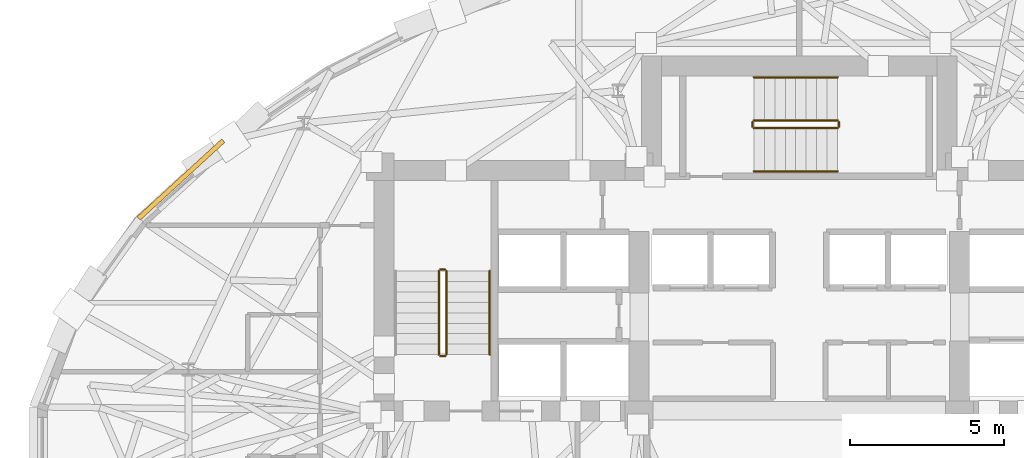
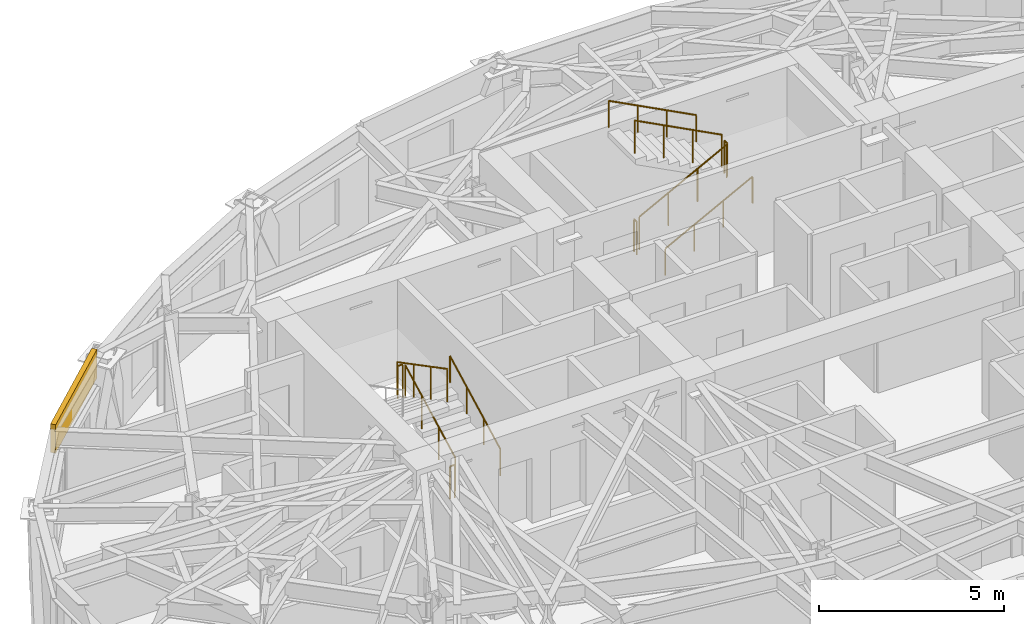
# One storey, part 12 of 14: 11 railings, 1 covering.
"""IFC4 building model written with IfcOpenShell, lengths in metres."""

from ifc_helpers import new_model, si_unit, direction, frame, origin, origin_2d, place, context, subcontext, project, spatial, rectangle, circle, extrude, material, layer, layer_set, type_object, element, save


model = new_model("IFC4")

# Units and contexts
model_context = context("Model", 3, precision=1e-05, world=origin(), true_north=direction((0.0, 1.0)))
body_context = subcontext(model_context, "Body", "Model", "MODEL_VIEW")
ifc_project = project(units=[si_unit("LENGTHUNIT", "METRE"), si_unit("AREAUNIT", "SQUARE_METRE"), si_unit("VOLUMEUNIT", "CUBIC_METRE"), si_unit("PLANEANGLEUNIT", "RADIAN"), si_unit("MASSUNIT", "GRAM", prefix="KILO")], contexts=[model_context])

# Site, building, storey
site_placement = place(None, origin())
site = spatial("IfcSite", under=ifc_project, at=site_placement, CompositionType="ELEMENT")
building_placement = place(site_placement, origin())
building = spatial("IfcBuilding", under=site, at=building_placement, Name="Keldmark Tower", CompositionType="ELEMENT")
storey_placement = place(building_placement, frame((0.0, 0.0, 172.60009765625)))
storey = spatial("IfcBuildingStorey", under=building, at=storey_placement, Name="L47", CompositionType="ELEMENT", Elevation=172.60009765625)

# Covering
ifc_material_1 = material(Name="Honed Kasota Buff Dolomitic Limestone", Category="masonry")
ifc_layer = layer(ifc_material_1, 0.074951171875)
ifc_layer_set = layer_set([ifc_layer], Name="Honed Kasota Buff Dolomitic Limestone")
covering_type = type_object("IfcCoveringType", Name="Kasota Buff Limestone Spandrel Cladding Band", PredefinedType="CLADDING", material=ifc_layer_set)
covering_placement = place(storey_placement, frame((-20.067626953125, 9.033447265625, 2.239013671875), z_axis=(0.0, 0.0, 1.0), x_axis=(-0.736274267607, -0.676683236722, 0.0)))
element("IfcCovering", 1, at=covering_placement, inside=storey, type_object=covering_type, Name="L47 Kasota Limestone Spandrel Band 13", PredefinedType="CLADDING", context=body_context, shape_type="SweptSolid", body=[
    extrude(rectangle(XDim=3.72998046875, YDim=0.14990234375, at=origin_2d()), origin(), (0.0, 0.0, 1.0), 0.94091796875),
])

# Railings
ifc_material_2 = material(Name="Painted Steel ASTM A500 Grade B", Category="steel")
railing_type_1 = type_object("IfcRailingType", Name="Painted Steel Stair Well Guard 1100 mm", PredefinedType="GUARDRAIL", material=ifc_material_2)
railing_1_placement = place(storey_placement, frame((-11.449951171875, 3.35009765625, 0.177734375)))
element("IfcRailing", 2, at=railing_1_placement, inside=storey, type_object=railing_type_1, Name="L47 ST1 stair guard 1", PredefinedType="GUARDRAIL", context=body_context, shape_type="SweptSolid", body=[
    extrude(circle(Radius=0.02392578125, at=origin_2d()), frame((0.0, 0.0, 1.076171875), z_axis=(0.0, 0.886183135912, 0.463335137482), x_axis=(-1.0, 0.0, 0.0)), (0.0, 0.0, 1.0), 3.0693359375),
    extrude(circle(Radius=0.02099609375, at=origin_2d()), origin(), (0.0, 0.0, 1.0), 1.052001953125),
    extrude(circle(Radius=0.02099609375, at=origin_2d()), frame((0.0, 0.90673828125, 0.47412109375)), (0.0, 0.0, 1.0), 1.052001953125),
    extrude(circle(Radius=0.02099609375, at=origin_2d()), frame((0.0, 1.813232421875, 0.947998046875)), (0.0, 0.0, 1.0), 1.052001953125),
    extrude(circle(Radius=0.02099609375, at=origin_2d()), frame((0.0, 2.719970703125, 1.422119140625)), (0.0, 0.0, 1.0), 1.052001953125),
])
railing_2_placement = place(storey_placement, frame((-11.5, 6.1201171875, 1.599853515625)))
element("IfcRailing", 3, at=railing_2_placement, inside=storey, type_object=railing_type_1, Name="L47 ST1 stair guard 2", PredefinedType="GUARDRAIL", context=body_context, shape_type="SweptSolid", body=[
    extrude(circle(Radius=0.02392578125, at=origin_2d()), frame((0.0, 0.0, 1.076171875), z_axis=(-1.0, 0.0, 0.0), x_axis=(0.0, -1.0, 0.0)), (0.0, 0.0, 1.0), 0.14990234375),
    extrude(circle(Radius=0.02099609375, at=origin_2d()), origin(), (0.0, 0.0, 1.0), 1.052001953125),
    extrude(circle(Radius=0.02099609375, at=origin_2d()), frame((-0.14990234375, 0.0, 0.0)), (0.0, 0.0, 1.0), 1.052001953125),
])
railing_3_placement = place(storey_placement, frame((-11.699951171875, 6.070068359375, 1.777587890625)))
element("IfcRailing", 4, at=railing_3_placement, inside=storey, type_object=railing_type_1, Name="L47 ST1 stair guard 3", PredefinedType="GUARDRAIL", context=body_context, shape_type="SweptSolid", body=[
    extrude(circle(Radius=0.02392578125, at=origin_2d()), frame((0.0, 0.0, 1.076171875), z_axis=(0.0, -0.886150474775, 0.463397600399), x_axis=(1.0, 0.0, 0.0)), (0.0, 0.0, 1.0), 3.0693359375),
    extrude(circle(Radius=0.02099609375, at=origin_2d()), origin(), (0.0, 0.0, 1.0), 1.052001953125),
    extrude(circle(Radius=0.02099609375, at=origin_2d()), frame((0.0, -0.90673828125, 0.47412109375)), (0.0, 0.0, 1.0), 1.052001953125),
    extrude(circle(Radius=0.02099609375, at=origin_2d()), frame((0.0, -1.813232421875, 0.9482421875)), (0.0, 0.0, 1.0), 1.052001953125),
    extrude(circle(Radius=0.02099609375, at=origin_2d()), frame((0.0, -2.719970703125, 1.42236328125)), (0.0, 0.0, 1.0), 1.052001953125),
])
railing_4_placement = place(storey_placement, frame((-11.5, 3.300048828125, 0.0)))
element("IfcRailing", 5, at=railing_4_placement, inside=storey, type_object=railing_type_1, Name="L47 ST1 stair guard 4", PredefinedType="GUARDRAIL", context=body_context, shape_type="SweptSolid", body=[
    extrude(circle(Radius=0.02392578125, at=origin_2d()), frame((0.0, 0.0, 1.076171875), z_axis=(-1.0, 0.0, 0.0), x_axis=(0.0, -1.0, 0.0)), (0.0, 0.0, 1.0), 0.14990234375),
    extrude(circle(Radius=0.02099609375, at=origin_2d()), origin(), (0.0, 0.0, 1.0), 1.052001953125),
    extrude(circle(Radius=0.02099609375, at=origin_2d()), frame((-0.14990234375, 0.0, 0.0)), (0.0, 0.0, 1.0), 1.052001953125),
])
railing_5_placement = place(storey_placement, frame((-1.47509765625, 10.699951171875, 0.177734375)))
element("IfcRailing", 6, at=railing_5_placement, inside=storey, type_object=railing_type_1, Name="L47 ST3 stair guard 1", PredefinedType="GUARDRAIL", context=body_context, shape_type="SweptSolid", body=[
    extrude(circle(Radius=0.02392578125, at=origin_2d()), frame((0.0, 0.0, 1.076171875), z_axis=(0.886200210249, 0.0, 0.463302479331), x_axis=(0.0, 1.0, 0.0)), (0.0, 0.0, 1.0), 3.069580078125),
    extrude(circle(Radius=0.02099609375, at=origin_2d()), origin(), (0.0, 0.0, 1.0), 1.052001953125),
    extrude(circle(Radius=0.02099609375, at=origin_2d()), frame((0.90673828125, 0.0, 0.47412109375)), (0.0, 0.0, 1.0), 1.052001953125),
    extrude(circle(Radius=0.02099609375, at=origin_2d()), frame((1.8134765625, 0.0, 0.947998046875)), (0.0, 0.0, 1.0), 1.052001953125),
    extrude(circle(Radius=0.02099609375, at=origin_2d()), frame((2.72021484375, 0.0, 1.422119140625)), (0.0, 0.0, 1.0), 1.052001953125),
])
railing_6_placement = place(storey_placement, frame((1.294921875, 10.75, 1.599853515625)))
element("IfcRailing", 7, at=railing_6_placement, inside=storey, type_object=railing_type_1, Name="L47 ST3 stair guard 2", PredefinedType="GUARDRAIL", context=body_context, shape_type="SweptSolid", body=[
    extrude(circle(Radius=0.02392578125, at=origin_2d()), frame((0.0, 0.0, 1.076171875), z_axis=(0.0, 1.0, 0.0), x_axis=(-1.0, 0.0, 0.0)), (0.0, 0.0, 1.0), 0.14990234375),
    extrude(circle(Radius=0.02099609375, at=origin_2d()), origin(), (0.0, 0.0, 1.0), 1.052001953125),
    extrude(circle(Radius=0.02099609375, at=origin_2d()), frame((0.0, 0.14990234375, 0.0)), (0.0, 0.0, 1.0), 1.052001953125),
])
railing_7_placement = place(storey_placement, frame((1.2451171875, 10.949951171875, 1.777587890625)))
element("IfcRailing", 8, at=railing_7_placement, inside=storey, type_object=railing_type_1, Name="L47 ST3 stair guard 3", PredefinedType="GUARDRAIL", context=body_context, shape_type="SweptSolid", body=[
    extrude(circle(Radius=0.02392578125, at=origin_2d()), frame((0.0, 0.0, 1.076171875), z_axis=(-0.886167553088, 0.0, 0.463364940252), x_axis=(0.0, -1.0, 0.0)), (0.0, 0.0, 1.0), 3.069580078125),
    extrude(circle(Radius=0.02099609375, at=origin_2d()), origin(), (0.0, 0.0, 1.0), 1.052001953125),
    extrude(circle(Radius=0.02099609375, at=origin_2d()), frame((-0.90673828125, 0.0, 0.47412109375)), (0.0, 0.0, 1.0), 1.052001953125),
    extrude(circle(Radius=0.02099609375, at=origin_2d()), frame((-1.8134765625, 0.0, 0.9482421875)), (0.0, 0.0, 1.0), 1.052001953125),
    extrude(circle(Radius=0.02099609375, at=origin_2d()), frame((-2.72021484375, 0.0, 1.42236328125)), (0.0, 0.0, 1.0), 1.052001953125),
])
railing_8_placement = place(storey_placement, frame((-1.52490234375, 10.75, 0.0)))
element("IfcRailing", 9, at=railing_8_placement, inside=storey, type_object=railing_type_1, Name="L47 ST3 stair guard 4", PredefinedType="GUARDRAIL", context=body_context, shape_type="SweptSolid", body=[
    extrude(circle(Radius=0.02392578125, at=origin_2d()), frame((0.0, 0.0, 1.076171875), z_axis=(0.0, 1.0, 0.0), x_axis=(-1.0, 0.0, 0.0)), (0.0, 0.0, 1.0), 0.14990234375),
    extrude(circle(Radius=0.02099609375, at=origin_2d()), origin(), (0.0, 0.0, 1.0), 1.052001953125),
    extrude(circle(Radius=0.02099609375, at=origin_2d()), frame((0.0, 0.14990234375, 0.0)), (0.0, 0.0, 1.0), 1.052001953125),
])
ifc_material_3 = material(Name="Stainless Steel AISI 316L", Category="steel")
railing_type_2 = type_object("IfcRailingType", Name="Stainless Steel Stair Handrail 900 mm", PredefinedType="HANDRAIL", material=ifc_material_3)
railing_9_placement = place(storey_placement, frame((-10.050048828125, 3.35009765625, 0.177734375)))
element("IfcRailing", 10, at=railing_9_placement, inside=storey, type_object=railing_type_2, Name="L47 ST1 stair handrail 1", PredefinedType="HANDRAIL", context=body_context, shape_type="SweptSolid", body=[
    extrude(circle(Radius=0.02392578125, at=origin_2d()), frame((0.0, 0.0, 0.8759765625), z_axis=(0.0, 0.886183135912, 0.463335137482), x_axis=(-1.0, 0.0, 0.0)), (0.0, 0.0, 1.0), 3.0693359375),
    extrude(circle(Radius=0.02099609375, at=origin_2d()), origin(), (0.0, 0.0, 1.0), 0.851806640625),
    extrude(circle(Radius=0.02099609375, at=origin_2d()), frame((0.0, 0.90673828125, 0.47412109375)), (0.0, 0.0, 1.0), 0.851806640625),
    extrude(circle(Radius=0.02099609375, at=origin_2d()), frame((0.0, 1.813232421875, 0.947998046875)), (0.0, 0.0, 1.0), 0.851806640625),
    extrude(circle(Radius=0.02099609375, at=origin_2d()), frame((0.0, 2.719970703125, 1.422119140625)), (0.0, 0.0, 1.0), 0.851806640625),
])
railing_10_placement = place(storey_placement, frame((-1.47509765625, 9.300048828125, 0.177734375)))
element("IfcRailing", 11, at=railing_10_placement, inside=storey, type_object=railing_type_2, Name="L47 ST3 stair handrail 1", PredefinedType="HANDRAIL", context=body_context, shape_type="SweptSolid", body=[
    extrude(circle(Radius=0.02392578125, at=origin_2d()), frame((0.0, 0.0, 0.8759765625), z_axis=(0.886200210249, 0.0, 0.463302479331), x_axis=(0.0, 1.0, 0.0)), (0.0, 0.0, 1.0), 3.069580078125),
    extrude(circle(Radius=0.02099609375, at=origin_2d()), origin(), (0.0, 0.0, 1.0), 0.851806640625),
    extrude(circle(Radius=0.02099609375, at=origin_2d()), frame((0.90673828125, 0.0, 0.47412109375)), (0.0, 0.0, 1.0), 0.851806640625),
    extrude(circle(Radius=0.02099609375, at=origin_2d()), frame((1.8134765625, 0.0, 0.947998046875)), (0.0, 0.0, 1.0), 0.851806640625),
    extrude(circle(Radius=0.02099609375, at=origin_2d()), frame((2.72021484375, 0.0, 1.422119140625)), (0.0, 0.0, 1.0), 0.851806640625),
])
railing_11_placement = place(storey_placement, frame((1.2451171875, 12.35009765625, 1.777587890625)))
element("IfcRailing", 12, at=railing_11_placement, inside=storey, type_object=railing_type_2, Name="L47 ST3 stair handrail 2", PredefinedType="HANDRAIL", context=body_context, shape_type="SweptSolid", body=[
    extrude(circle(Radius=0.02392578125, at=origin_2d()), frame((0.0, 0.0, 0.8759765625), z_axis=(-0.886167553088, 0.0, 0.463364940252), x_axis=(0.0, -1.0, 0.0)), (0.0, 0.0, 1.0), 3.069580078125),
    extrude(circle(Radius=0.02099609375, at=origin_2d()), origin(), (0.0, 0.0, 1.0), 0.851806640625),
    extrude(circle(Radius=0.02099609375, at=origin_2d()), frame((-0.90673828125, 0.0, 0.47412109375)), (0.0, 0.0, 1.0), 0.851806640625),
    extrude(circle(Radius=0.02099609375, at=origin_2d()), frame((-1.8134765625, 0.0, 0.9482421875)), (0.0, 0.0, 1.0), 0.851806640625),
    extrude(circle(Radius=0.02099609375, at=origin_2d()), frame((-2.72021484375, 0.0, 1.42236328125)), (0.0, 0.0, 1.0), 0.851806640625),
])

save(model, "model.ifc")
